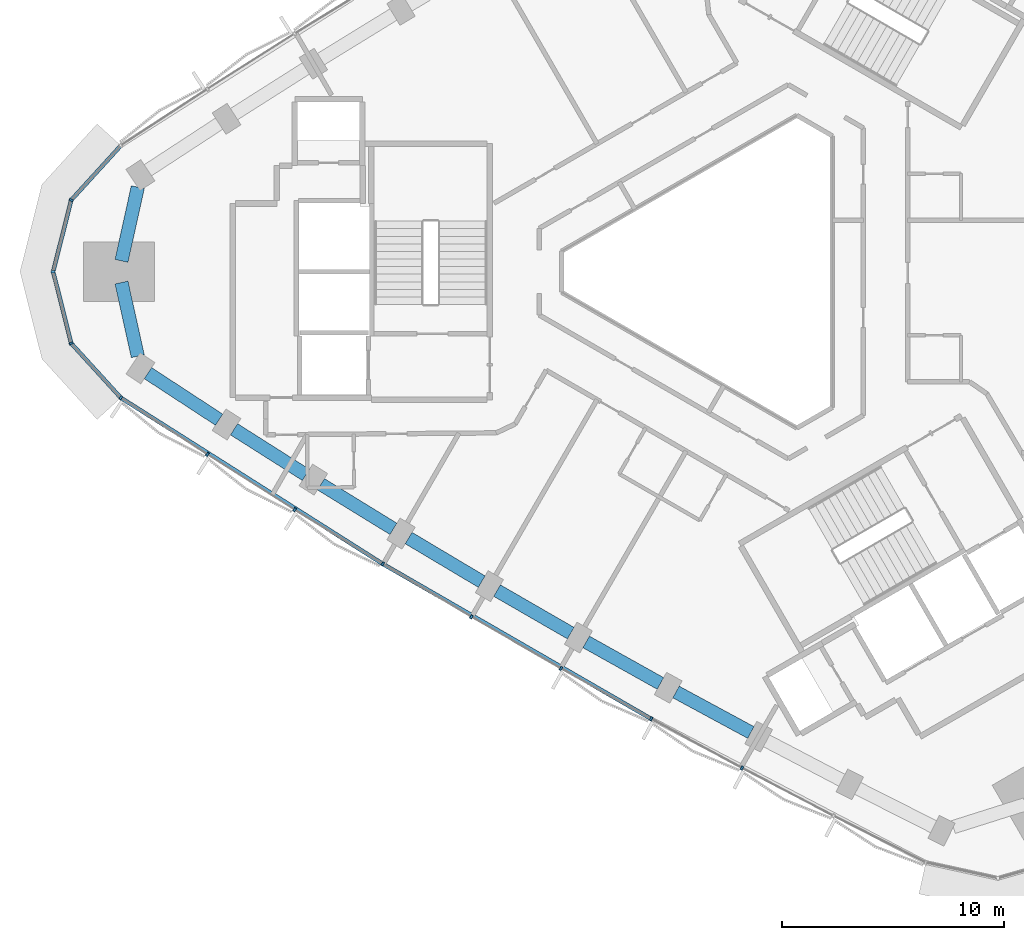
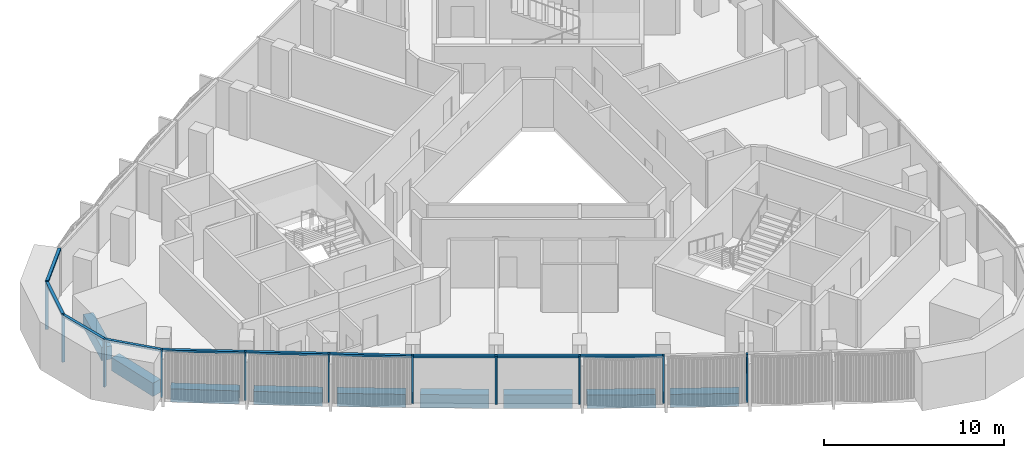
# One storey, part 2 of 13: 17 members, 9 beams, 2 elements without a shape of their own.
"""IFC4 building model written with IfcOpenShell, lengths in metres."""

from ifc_helpers import new_model, si_unit, direction, frame, origin, origin_2d, place, context, subcontext, project, spatial, rectangle, extrude, material, material_profile, profile_set, type_object, element, aggregate, save


model = new_model("IFC4")

# Units and contexts
model_context = context("Model", 3, precision=1e-05, world=origin(), true_north=direction((0.0, 1.0)))
body_context = subcontext(model_context, "Body", "Model", "MODEL_VIEW")
ifc_project = project(units=[si_unit("LENGTHUNIT", "METRE"), si_unit("AREAUNIT", "SQUARE_METRE"), si_unit("VOLUMEUNIT", "CUBIC_METRE"), si_unit("PLANEANGLEUNIT", "RADIAN"), si_unit("MASSUNIT", "GRAM", prefix="KILO")], contexts=[model_context])

# Site, building, storey
site_placement = place(None, origin())
site = spatial("IfcSite", under=ifc_project, at=site_placement, CompositionType="ELEMENT")
building_placement = place(site_placement, origin())
building = spatial("IfcBuilding", under=site, at=building_placement, Name="Tamra Quay Hotel Tower", CompositionType="ELEMENT")
storey_placement = place(building_placement, frame((0.0, 0.0, 182.800048828125)))
storey = spatial("IfcBuildingStorey", under=building, at=storey_placement, Name="L45", CompositionType="ELEMENT", Elevation=182.800048828125)

# Curtain wall, members
ifc_material_1 = material(Name="Aluminium 6063 anodised dark grey", Category="aluminium")
curtain_wall_type_1 = type_object("IfcCurtainWallType", Name="CW2 CURTAIN WALL", PredefinedType="NOTDEFINED", material=ifc_material_1)
curtain_wall_1_placement = place(storey_placement, origin())
curtain_wall_1 = element("IfcCurtainWall", 1, at=curtain_wall_1_placement, inside=storey, type_object=curtain_wall_type_1, Name="CW2 north-west face L45", PredefinedType="NOTDEFINED")
ifc_material_profile_1 = material_profile(ifc_material_1, rectangle(XDim=0.179931640625, YDim=0.10009765625, at=origin_2d()), Name="MULLION 100X180")
ifc_profile_set_1 = profile_set([ifc_material_profile_1], Name="Aluminium 6063 anodised dark grey")
member_type_1 = type_object("IfcMemberType", Name="MULLION CW2 Z4", PredefinedType="MULLION", material=ifc_profile_set_1)
member_1_placement = place(storey_placement, frame((-29.7216796875, 3.227294921875, 0.0), z_axis=(0.0, 0.0, 1.0), x_axis=(-0.881097509676, 0.472934645002, 0.0)))
member_1 = element("IfcMember", 2, at=member_1_placement, type_object=member_type_1, Name="CW2 mullion L45.NW.11", PredefinedType="MULLION", context=body_context, shape_type="SweptSolid", body=[
    extrude(rectangle(XDim=0.179931640625, YDim=0.10009765625, at=origin_2d()), origin(), (0.0, 0.0, 1.0), 3.25),
])
member_2_placement = place(storey_placement, frame((-30.532958984375, 0.0, 0.0), z_axis=(0.0, 0.0, 1.0), x_axis=(-1.0, 0.0, 0.0)))
member_2 = element("IfcMember", 3, at=member_2_placement, type_object=member_type_1, Name="CW2 mullion L45.NW.12", PredefinedType="MULLION", context=body_context, shape_type="SweptSolid", body=[
    extrude(rectangle(XDim=0.179931640625, YDim=0.10009765625, at=origin_2d()), origin(), (0.0, 0.0, 1.0), 3.25),
])
member_3_placement = place(storey_placement, frame((-29.7216796875, -3.227294921875, 0.0), z_axis=(0.0, 0.0, 1.0), x_axis=(-0.881097509676, -0.472934645002, 0.0)))
member_3 = element("IfcMember", 4, at=member_3_placement, type_object=member_type_1, Name="CW2 mullion L45.NW.13", PredefinedType="MULLION", context=body_context, shape_type="SweptSolid", body=[
    extrude(rectangle(XDim=0.179931640625, YDim=0.10009765625, at=origin_2d()), origin(), (0.0, 0.0, 1.0), 3.25),
])

curtain_wall_type_2 = type_object("IfcCurtainWallType", Name="CW3 CURTAIN WALL", PredefinedType="NOTDEFINED", material=ifc_material_1)
curtain_wall_2_placement = place(storey_placement, origin())
curtain_wall_2 = element("IfcCurtainWall", 5, at=curtain_wall_2_placement, inside=storey, type_object=curtain_wall_type_2, Name="CW3 south-west face L45", PredefinedType="NOTDEFINED")
ifc_material_profile_2 = material_profile(ifc_material_1, rectangle(XDim=0.179931640625, YDim=0.10009765625, at=origin_2d()), Name="MULLION 100X180")
ifc_profile_set_2 = profile_set([ifc_material_profile_2], Name="Aluminium 6063 anodised dark grey")
member_type_2 = type_object("IfcMemberType", Name="MULLION CW3 Z4", PredefinedType="MULLION", material=ifc_profile_set_2)
member_4_placement = place(storey_placement, frame((-27.48046875, -5.687255859375, 0.0), z_axis=(0.0, 0.0, 1.0), x_axis=(-0.648381346761, -0.7613157224, 0.0)))
member_4 = element("IfcMember", 6, at=member_4_placement, type_object=member_type_2, Name="CW3 mullion L45.SW.1", PredefinedType="MULLION", context=body_context, shape_type="SweptSolid", body=[
    extrude(rectangle(XDim=0.179931640625, YDim=0.10009765625, at=origin_2d()), origin(), (0.0, 0.0, 1.0), 3.25),
])
member_5_placement = place(storey_placement, frame((-23.580322265625, -8.23681640625, 0.0), z_axis=(0.0, 0.0, 1.0), x_axis=(-0.541421874538, -0.840751065282, 0.0)))
member_5 = element("IfcMember", 7, at=member_5_placement, type_object=member_type_2, Name="CW3 mullion L45.SW.2", PredefinedType="MULLION", context=body_context, shape_type="SweptSolid", body=[
    extrude(rectangle(XDim=0.179931640625, YDim=0.10009765625, at=origin_2d()), origin(), (0.0, 0.0, 1.0), 3.25),
])
member_6_placement = place(storey_placement, frame((-19.645263671875, -10.732666015625, 0.0), z_axis=(0.0, 0.0, 1.0), x_axis=(-0.52973095248, -0.848165737332, 0.0)))
member_6 = element("IfcMember", 8, at=member_6_placement, type_object=member_type_2, Name="CW3 mullion L45.SW.3", PredefinedType="MULLION", context=body_context, shape_type="SweptSolid", body=[
    extrude(rectangle(XDim=0.179931640625, YDim=0.10009765625, at=origin_2d()), origin(), (0.0, 0.0, 1.0), 3.25),
])
member_7_placement = place(storey_placement, frame((-15.676513671875, -13.17333984375, 0.0), z_axis=(0.0, 0.0, 1.0), x_axis=(-0.517922563187, -0.855427506304, 0.0)))
member_7 = element("IfcMember", 9, at=member_7_placement, type_object=member_type_2, Name="CW3 mullion L45.SW.4", PredefinedType="MULLION", context=body_context, shape_type="SweptSolid", body=[
    extrude(rectangle(XDim=0.179931640625, YDim=0.10009765625, at=origin_2d()), origin(), (0.0, 0.0, 1.0), 3.25),
])
member_8_placement = place(storey_placement, frame((-11.673583984375, -15.559326171875, 0.0), z_axis=(0.0, 0.0, 1.0), x_axis=(-0.506000904801, -0.862532946814, 0.0)))
member_8 = element("IfcMember", 10, at=member_8_placement, type_object=member_type_2, Name="CW3 mullion L45.SW.5", PredefinedType="MULLION", context=body_context, shape_type="SweptSolid", body=[
    extrude(rectangle(XDim=0.179931640625, YDim=0.10009765625, at=origin_2d()), origin(), (0.0, 0.0, 1.0), 3.25),
])
member_9_placement = place(storey_placement, frame((-7.637939453125, -17.88916015625, 0.0), z_axis=(0.0, 0.0, 1.0), x_axis=(-0.493974991142, -0.869476111303, 0.0)))
member_9 = element("IfcMember", 11, at=member_9_placement, type_object=member_type_2, Name="CW3 mullion L45.SW.6", PredefinedType="MULLION", context=body_context, shape_type="SweptSolid", body=[
    extrude(rectangle(XDim=0.179931640625, YDim=0.10009765625, at=origin_2d()), origin(), (0.0, 0.0, 1.0), 3.25),
])
member_10_placement = place(storey_placement, frame((-3.5703125, -20.162841796875, 0.0), z_axis=(0.0, 0.0, 1.0), x_axis=(-0.481860669962, -0.876247850065, 0.0)))
member_10 = element("IfcMember", 12, at=member_10_placement, type_object=member_type_2, Name="CW3 mullion L45.SW.7", PredefinedType="MULLION", context=body_context, shape_type="SweptSolid", body=[
    extrude(rectangle(XDim=0.179931640625, YDim=0.10009765625, at=origin_2d()), origin(), (0.0, 0.0, 1.0), 3.25),
])
member_11_placement = place(storey_placement, frame((0.52783203125, -22.379638671875, 0.0), z_axis=(0.0, 0.0, 1.0), x_axis=(-0.469667598909, -0.882843330685, 0.0)))
member_11 = element("IfcMember", 13, at=member_11_placement, type_object=member_type_2, Name="CW3 mullion L45.SW.8", PredefinedType="MULLION", context=body_context, shape_type="SweptSolid", body=[
    extrude(rectangle(XDim=0.179931640625, YDim=0.10009765625, at=origin_2d()), origin(), (0.0, 0.0, 1.0), 3.25),
])

# Beams
ifc_material_2 = material(Name="Concrete M60", Category="concrete")
ifc_material_profile_3 = material_profile(ifc_material_2, rectangle(XDim=0.60009765625, YDim=0.89990234375, at=origin_2d()), Name="SPANDREL BEAM RC 600x900")
ifc_profile_set_3 = profile_set([ifc_material_profile_3], Name="Concrete M60")
beam_type = type_object("IfcBeamType", Name="SPANDREL BEAM RC 600x900", PredefinedType="SPANDREL", material=ifc_profile_set_3)
for number, where, z_axis, x_axis, name in (
    (14, (-26.716552734375, 3.811767578125, -0.800048828125), (-0.215798858353, -0.976437838643, 0.0), (0.976437838643, -0.215798858353, 0.0), "BM-SP4-020-L45"),
    (15, (-27.451171875, -0.48779296875, -0.800048828125), (0.215798858353, -0.976437838643, 0.0), (0.976437838643, 0.215798858353, 0.0), "BM-SP4-021-L45"),
):
    element("IfcBeam", number, at=place(storey_placement, frame(where, z_axis=z_axis, x_axis=x_axis)), inside=storey, type_object=beam_type, Name=name, PredefinedType="SPANDREL", context=body_context, shape_type="SweptSolid", body=[
        extrude(rectangle(XDim=0.60009765625, YDim=0.89990234375, at=origin_2d()), origin(), (0.0, 0.0, 1.0), 3.404296875),
    ])
for number, where, z_axis, x_axis, name in (
    (16, (-26.26171875, -4.573486328125, -0.800048828125), (0.836969613974, -0.547249362983, 0.0), (0.547249362983, 0.836969613974, 0.0), "BM-SP4-022-L45"),
    (17, (-22.377197265625, -7.106689453125, -0.800048828125), (0.844469978785, -0.535602889211, 0.0), (0.535602889211, 0.844469978785, 0.0), "BM-SP4-023-L45"),
):
    element("IfcBeam", number, at=place(storey_placement, frame(where, z_axis=z_axis, x_axis=x_axis)), inside=storey, type_object=beam_type, Name=name, PredefinedType="SPANDREL", context=body_context, shape_type="SweptSolid", body=[
        extrude(rectangle(XDim=0.60009765625, YDim=0.89990234375, at=origin_2d()), origin(), (0.0, 0.0, 1.0), 3.837646484375),
    ])
beam_1_placement = place(storey_placement, frame((-18.4580078125, -9.585693359375, -0.800048828125), z_axis=(0.851817714835, -0.523838315411, 0.0), x_axis=(0.523838315411, 0.851817714835, 0.0)))
element("IfcBeam", 18, at=beam_1_placement, inside=storey, type_object=beam_type, Name="BM-SP4-024-L45", PredefinedType="SPANDREL", context=body_context, shape_type="SweptSolid", body=[
    extrude(rectangle(XDim=0.60009765625, YDim=0.89990234375, at=origin_2d()), origin(), (0.0, 0.0, 1.0), 3.837890625),
])
beam_2_placement = place(storey_placement, frame((-14.50439453125, -12.010498046875, -0.800048828125), z_axis=(0.858982487636, -0.512004966708, 0.0), x_axis=(0.512004966708, 0.858982487636, 0.0)))
element("IfcBeam", 19, at=beam_2_placement, inside=storey, type_object=beam_type, Name="BM-SP4-025-L45", PredefinedType="SPANDREL", context=body_context, shape_type="SweptSolid", body=[
    extrude(rectangle(XDim=0.60009765625, YDim=0.89990234375, at=origin_2d()), origin(), (0.0, 0.0, 1.0), 3.837646484375),
])
for number, where, z_axis, x_axis, name in (
    (20, (-10.517822265625, -14.380126953125, -0.800048828125), (0.866022424722, -0.500005159851, 0.0), (0.500005159851, 0.866022424722, 0.0), "BM-SP4-026-L45"),
    (21, (-6.4990234375, -16.694091796875, -0.800048828125), (0.872890885292, -0.487915466422, 0.0), (0.487915466422, 0.872890885292, 0.0), "BM-SP4-027-L45"),
):
    element("IfcBeam", number, at=place(storey_placement, frame(where, z_axis=z_axis, x_axis=x_axis)), inside=storey, type_object=beam_type, Name=name, PredefinedType="SPANDREL", context=body_context, shape_type="SweptSolid", body=[
        extrude(rectangle(XDim=0.60009765625, YDim=0.89990234375, at=origin_2d()), origin(), (0.0, 0.0, 1.0), 3.83740234375),
    ])
beam_3_placement = place(storey_placement, frame((-2.448486328125, -18.951904296875, -0.800048828125), z_axis=(0.879589264525, -0.475733881211, 0.0), x_axis=(0.475733881211, 0.879589264525, 0.0)))
element("IfcBeam", 22, at=beam_3_placement, inside=storey, type_object=beam_type, Name="BM-SP4-028-L45", PredefinedType="SPANDREL", context=body_context, shape_type="SweptSolid", body=[
    extrude(rectangle(XDim=0.60009765625, YDim=0.89990234375, at=origin_2d()), origin(), (0.0, 0.0, 1.0), 3.838134765625),
])

# Member
ifc_material_profile_4 = material_profile(ifc_material_1, rectangle(XDim=0.179931640625, YDim=0.139892578125, at=origin_2d()), Name="TRANSOM 180X140")
ifc_profile_set_4 = profile_set([ifc_material_profile_4], Name="Aluminium 6063 anodised dark grey")
member_type_3 = type_object("IfcMemberType", Name="TRANSOM CW2 Z4", PredefinedType="USERDEFINED", material=ifc_profile_set_4)
member_12_placement = place(storey_placement, frame((-27.513916015625, 5.650146484375, 3.179931640625), z_axis=(-0.673519383869, -0.739169560759, 0.0), x_axis=(0.739169560759, -0.673519383869, 0.0)))
member_12 = element("IfcMember", 23, at=member_12_placement, type_object=member_type_3, Name="CW2 transom L45.NW.10", ObjectType="TRANSOM", PredefinedType="USERDEFINED", context=body_context, shape_type="SweptSolid", body=[
    extrude(rectangle(XDim=0.179931640625, YDim=0.139892578125, at=origin_2d()), origin(), (0.0, 0.0, 1.0), 3.22802734375),
])

member_13_placement = place(storey_placement, frame((-29.73388671875, 3.1787109375, 3.179931640625), z_axis=(-0.243799111264, -0.969825754116, 0.0), x_axis=(0.969825754116, -0.243799111264, 0.0)))
member_13 = element("IfcMember", 24, at=member_13_placement, type_object=member_type_3, Name="CW2 transom L45.NW.11", ObjectType="TRANSOM", PredefinedType="USERDEFINED", context=body_context, shape_type="SweptSolid", body=[
    extrude(rectangle(XDim=0.179931640625, YDim=0.139892578125, at=origin_2d()), origin(), (0.0, 0.0, 1.0), 3.2275390625),
])

member_14_placement = place(storey_placement, frame((-30.520751953125, -0.048583984375, 3.179931640625), z_axis=(0.243799111264, -0.969825754116, 0.0), x_axis=(0.969825754116, 0.243799111264, 0.0)))
member_14 = element("IfcMember", 25, at=member_14_placement, type_object=member_type_3, Name="CW2 transom L45.NW.12", ObjectType="TRANSOM", PredefinedType="USERDEFINED", context=body_context, shape_type="SweptSolid", body=[
    extrude(rectangle(XDim=0.179931640625, YDim=0.139892578125, at=origin_2d()), origin(), (0.0, 0.0, 1.0), 3.2275390625),
])

member_15_placement = place(storey_placement, frame((-29.68798828125, -3.26416015625, 3.179931640625), z_axis=(0.673519383869, -0.739169560759, 0.0), x_axis=(0.739169560759, 0.673519383869, 0.0)))
member_15 = element("IfcMember", 26, at=member_15_placement, type_object=member_type_3, Name="CW2 transom L45.NW.13", ObjectType="TRANSOM", PredefinedType="USERDEFINED", context=body_context, shape_type="SweptSolid", body=[
    extrude(rectangle(XDim=0.179931640625, YDim=0.139892578125, at=origin_2d()), origin(), (0.0, 0.0, 1.0), 3.22802734375),
])

aggregate(curtain_wall_1, [member_12, member_1, member_13, member_2, member_14, member_3, member_15])

ifc_material_profile_5 = material_profile(ifc_material_1, rectangle(XDim=0.179931640625, YDim=0.139892578125, at=origin_2d()), Name="TRANSOM 180X140")
ifc_profile_set_5 = profile_set([ifc_material_profile_5], Name="Aluminium 6063 anodised dark grey")
member_type_4 = type_object("IfcMemberType", Name="TRANSOM CW3 Z4", PredefinedType="USERDEFINED", material=ifc_profile_set_5)
member_16_placement = place(storey_placement, frame((-27.4384765625, -5.714599609375, 3.179931640625), z_axis=(0.844484125962, -0.535580583105, 0.0), x_axis=(0.535580583105, 0.844484125962, 0.0)))
member_16 = element("IfcMember", 27, at=member_16_placement, type_object=member_type_4, Name="CW3 transom L45.SW.1", ObjectType="TRANSOM", PredefinedType="USERDEFINED", context=body_context, shape_type="SweptSolid", body=[
    extrude(rectangle(XDim=0.179931640625, YDim=0.139892578125, at=origin_2d()), origin(), (0.0, 0.0, 1.0), 13.877685546875),
])

member_17_placement = place(storey_placement, frame((-15.633544921875, -13.198974609375, 3.179931640625), z_axis=(0.866018612845, -0.500011762068, 0.0), x_axis=(0.500011762068, 0.866018612845, 0.0)))
member_17 = element("IfcMember", 28, at=member_17_placement, type_object=member_type_4, Name="CW3 transom L45.SW.4", ObjectType="TRANSOM", PredefinedType="USERDEFINED", context=body_context, shape_type="SweptSolid", body=[
    extrude(rectangle(XDim=0.179931640625, YDim=0.139892578125, at=origin_2d()), origin(), (0.0, 0.0, 1.0), 13.879150390625),
])

aggregate(curtain_wall_2, [member_4, member_16, member_5, member_6, member_7, member_17, member_8, member_9, member_10, member_11])

save(model, "model.ifc")
